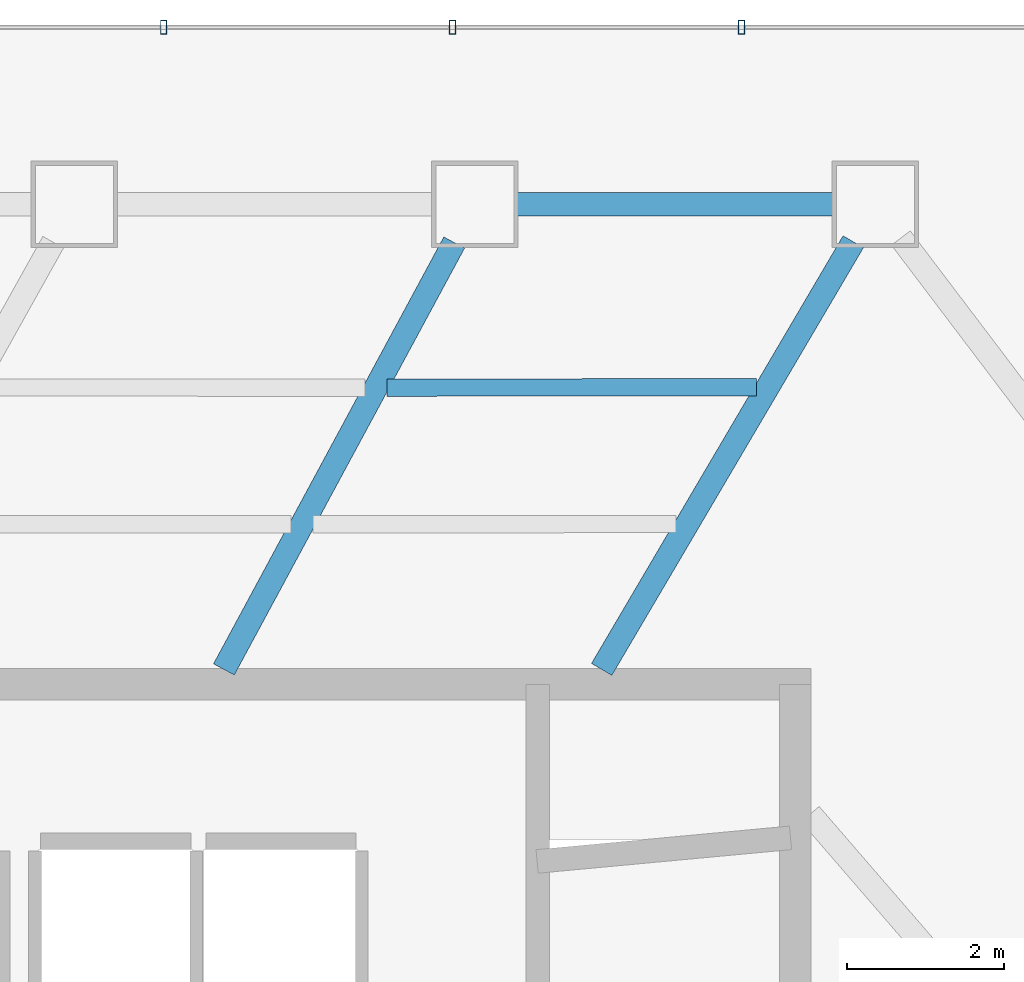
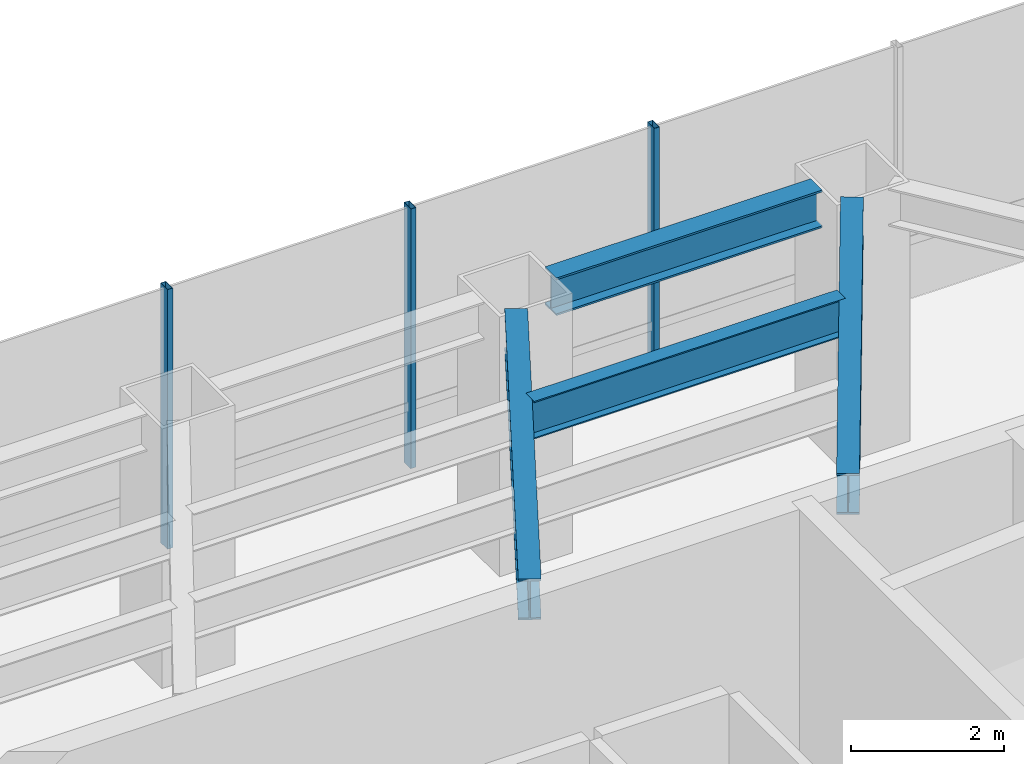
# One storey, part 23 of 37: 4 beams, 3 members, 1 element without a shape of its own.
"""IFC4 building model written with IfcOpenShell, lengths in metres."""

from ifc_helpers import new_model, si_unit, direction, frame, origin, origin_2d, place, context, subcontext, project, spatial, hollow_rectangle, i_section, extrude, material, layer, layer_set, material_profile, profile_set, type_object, element, aggregate, save


model = new_model("IFC4")

# Units and contexts
model_context = context("Model", 3, precision=1e-05, world=origin(), true_north=direction((0.0, 1.0)))
body_context = subcontext(model_context, "Body", "Model", "MODEL_VIEW")
ifc_project = project(units=[si_unit("LENGTHUNIT", "METRE"), si_unit("AREAUNIT", "SQUARE_METRE"), si_unit("VOLUMEUNIT", "CUBIC_METRE"), si_unit("PLANEANGLEUNIT", "RADIAN"), si_unit("MASSUNIT", "GRAM", prefix="KILO")], contexts=[model_context])

# Site, building, storey
site_placement = place(None, origin())
site = spatial("IfcSite", under=ifc_project, at=site_placement, CompositionType="ELEMENT")
building_placement = place(site_placement, origin())
building = spatial("IfcBuilding", under=site, at=building_placement, Name="Zarrinselat Tower", CompositionType="ELEMENT")
storey_placement = place(building_placement, frame((0.0, 0.0, 13.93994140625)))
storey = spatial("IfcBuildingStorey", under=building, at=storey_placement, Name="L03", CompositionType="ELEMENT", Elevation=13.93994140625)

# Beams
ifc_material_1 = material(Name="Steel S355J2", Category="steel")
ifc_material_profile_1 = material_profile(ifc_material_1, i_section(OverallWidth=0.300048828125, OverallDepth=0.60009765625, WebThickness=0.015380859375, FlangeThickness=0.030029296875, at=origin_2d()), Name="HEB 600")
ifc_profile_set_1 = profile_set([ifc_material_profile_1], Name="Steel S355J2")
beam_type_1 = type_object("IfcBeamType", Name="BM-HEB600", PredefinedType="BEAM", material=ifc_profile_set_1)
beam_1_placement = place(storey_placement, frame((44.7265625, 49.550048828125, 3.840087890625), z_axis=(1.0, 0.0, 0.0), x_axis=(0.0, 1.0, 0.0)))
element("IfcBeam", 1, at=beam_1_placement, inside=storey, type_object=beam_type_1, Name="L03 Perimeter Spandrel Girder SP01", PredefinedType="BEAM", context=body_context, shape_type="SweptSolid", body=[
    extrude(i_section(OverallWidth=0.300048828125, OverallDepth=0.60009765625, WebThickness=0.015380859375, FlangeThickness=0.030029296875, at=origin_2d()), origin(), (0.0, 0.0, 1.0), 4.012451171875),
])
ifc_material_2 = material(Name="Steel S355J2", Category="steel")
ifc_material_profile_2 = material_profile(ifc_material_2, i_section(OverallWidth=0.300048828125, OverallDepth=0.64990234375, WebThickness=0.01611328125, FlangeThickness=0.031005859375, at=origin_2d()), Name="HEB 650")
ifc_profile_set_2 = profile_set([ifc_material_profile_2], Name="Steel S355J2")
beam_type_2 = type_object("IfcBeamType", Name="BM-HEB650", PredefinedType="BEAM", material=ifc_profile_set_2)
beam_2_placement = place(storey_placement, frame((45.800048828125, 43.639892578125, 3.81494140625), z_axis=(0.5070624313, 0.861909328621, 0.0), x_axis=(-0.861909328621, 0.5070624313, 0.0)))
element("IfcBeam", 2, at=beam_2_placement, inside=storey, type_object=beam_type_2, Name="L03 Radial Primary Girder RG01", PredefinedType="BEAM", context=body_context, shape_type="SweptSolid", body=[
    extrude(i_section(OverallWidth=0.300048828125, OverallDepth=0.64990234375, WebThickness=0.01611328125, FlangeThickness=0.031005859375, at=origin_2d()), origin(), (0.0, 0.0, 1.0), 6.304931640625),
])
beam_3_placement = place(storey_placement, frame((41.0, 43.639892578125, 3.81494140625), z_axis=(0.474820116737, 0.880082869247, 0.0), x_axis=(-0.880082869247, 0.474820116737, 0.0)))
element("IfcBeam", 3, at=beam_3_placement, inside=storey, type_object=beam_type_2, Name="L03 Radial Primary Girder RG02", PredefinedType="BEAM", context=body_context, shape_type="SweptSolid", body=[
    extrude(i_section(OverallWidth=0.300048828125, OverallDepth=0.64990234375, WebThickness=0.01611328125, FlangeThickness=0.031005859375, at=origin_2d()), origin(), (0.0, 0.0, 1.0), 6.163330078125),
])
ifc_material_3 = material(Name="Steel S355J2", Category="steel")
ifc_material_profile_3 = material_profile(ifc_material_3, i_section(OverallWidth=0.219970703125, OverallDepth=0.60009765625, WebThickness=0.011962890625, FlangeThickness=0.01904296875, at=origin_2d()), Name="IPE 600")
ifc_profile_set_3 = profile_set([ifc_material_profile_3], Name="Steel S355J2")
beam_type_3 = type_object("IfcBeamType", Name="BM-IPE600", PredefinedType="JOIST", material=ifc_profile_set_3)
beam_4_placement = place(storey_placement, frame((43.0712890625, 47.22021484375, 3.840087890625), z_axis=(0.999999156338, 0.001298970119, 0.0), x_axis=(-0.001298970119, 0.999999156338, 0.0)))
element("IfcBeam", 4, at=beam_4_placement, inside=storey, type_object=beam_type_3, Name="L03 Composite Floor Joist 7-1", PredefinedType="JOIST", context=body_context, shape_type="SweptSolid", body=[
    extrude(i_section(OverallWidth=0.219970703125, OverallDepth=0.60009765625, WebThickness=0.011962890625, FlangeThickness=0.01904296875, at=origin_2d()), origin(), (0.0, 0.0, 1.0), 4.69873046875),
])

# Curtain wall, members
ifc_material_4 = material(Name="Extruded Aluminium Alloy EN AW-6063 T6", Category="aluminium")
ifc_layer = layer(ifc_material_4, 0.2099609375)
ifc_layer_set = layer_set([ifc_layer], Name="Extruded Aluminium Alloy EN AW-6063 T6")
curtain_wall_type = type_object("IfcCurtainWallType", Name="CWS-POD", PredefinedType="NOTDEFINED", material=ifc_layer_set)
curtain_wall_placement = place(storey_placement, origin())
curtain_wall = element("IfcCurtainWall", 5, at=curtain_wall_placement, inside=storey, type_object=curtain_wall_type, Name="L03 Unitised Curtain Wall CW-L03-F5", PredefinedType="NOTDEFINED")
ifc_material_5 = material(Name="Extruded Aluminium Alloy EN AW-6063 T6", Category="aluminium")
ifc_material_profile_4 = material_profile(ifc_material_5, hollow_rectangle(XDim=0.080078125, YDim=0.179931640625, WallThickness=0.0048828125, at=origin_2d()), Name="RHS 180x80x5")
ifc_profile_set_4 = profile_set([ifc_material_profile_4], Name="Extruded Aluminium Alloy EN AW-6063 T6")
member_type = type_object("IfcMemberType", Name="MEM-CW-MUL", PredefinedType="MULLION", material=ifc_profile_set_4)
member_1_placement = place(storey_placement, frame((47.576416015625, 51.800048828125, 0.0), z_axis=(0.0, 0.0, 1.0), x_axis=(-1.0, 0.0, 0.0)))
member_1 = element("IfcMember", 6, at=member_1_placement, type_object=member_type, Name="CW-L03-F5 Mullion 6", PredefinedType="MULLION", context=body_context, shape_type="SweptSolid", body=[
    extrude(hollow_rectangle(XDim=0.080078125, YDim=0.179931640625, WallThickness=0.0048828125, at=origin_2d()), origin(), (0.0, 0.0, 1.0), 4.14013671875),
])
member_2_placement = place(storey_placement, frame((43.906005859375, 51.800048828125, 0.0), z_axis=(0.0, 0.0, 1.0), x_axis=(-1.0, 0.0, 0.0)))
member_2 = element("IfcMember", 7, at=member_2_placement, type_object=member_type, Name="CW-L03-F5 Mullion 7", PredefinedType="MULLION", context=body_context, shape_type="SweptSolid", body=[
    extrude(hollow_rectangle(XDim=0.080078125, YDim=0.179931640625, WallThickness=0.0048828125, at=origin_2d()), origin(), (0.0, 0.0, 1.0), 4.14013671875),
])
member_3_placement = place(storey_placement, frame((40.2353515625, 51.800048828125, 0.0), z_axis=(0.0, 0.0, 1.0), x_axis=(-1.0, 0.0, 0.0)))
member_3 = element("IfcMember", 8, at=member_3_placement, type_object=member_type, Name="CW-L03-F5 Mullion 8", PredefinedType="MULLION", context=body_context, shape_type="SweptSolid", body=[
    extrude(hollow_rectangle(XDim=0.080078125, YDim=0.179931640625, WallThickness=0.0048828125, at=origin_2d()), origin(), (0.0, 0.0, 1.0), 4.14013671875),
])
aggregate(curtain_wall, [member_1, member_2, member_3])

save(model, "model.ifc")
